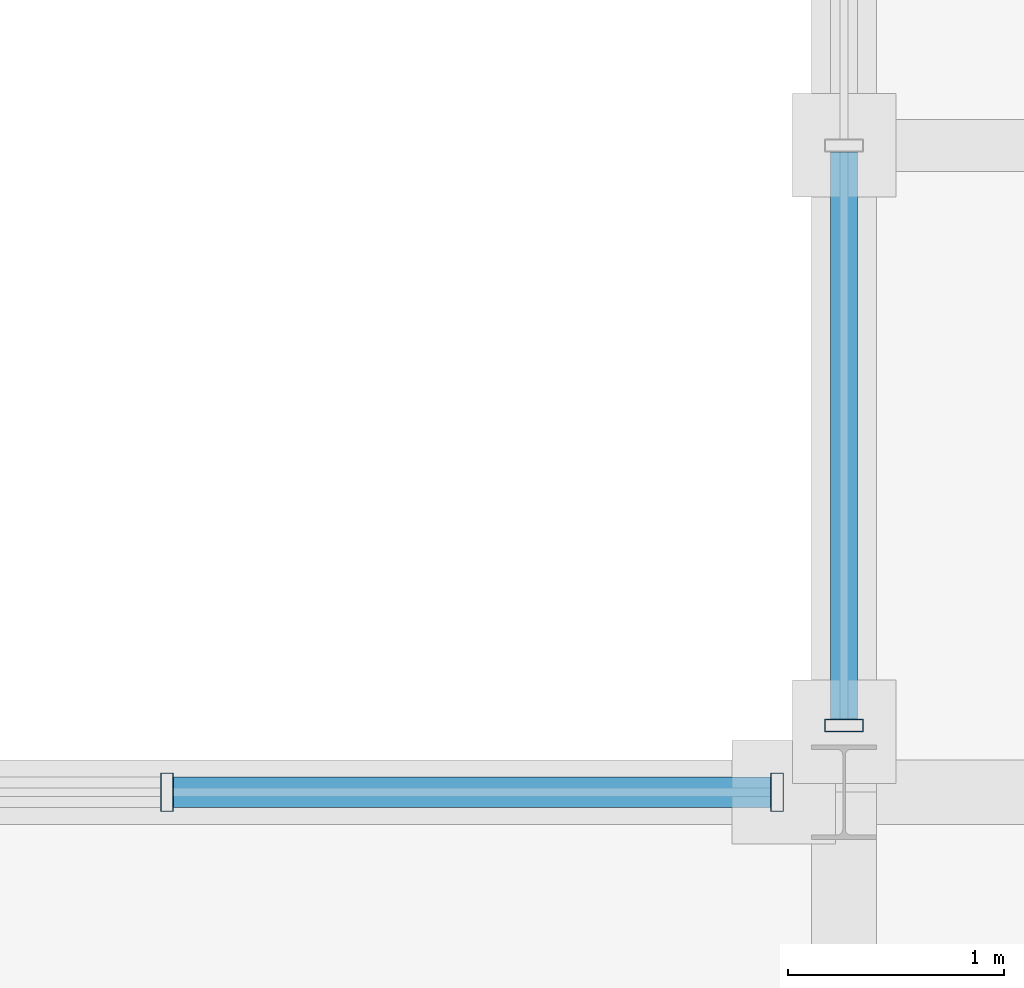
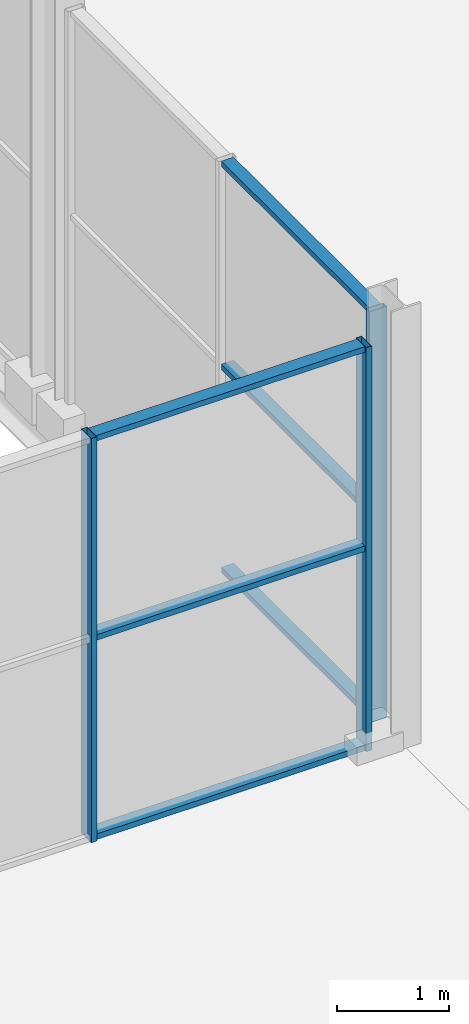
# One storey, part 111 of 159: 9 members, 2 elements without a shape of their own.
"""IFC4 building model written with IfcOpenShell, lengths in metres."""

from ifc_helpers import new_model, si_unit, direction, frame, origin, origin_2d, place, context, subcontext, project, spatial, hollow_rectangle, extrude, material, material_profile, profile_set, type_object, element, aggregate, save


model = new_model("IFC4")

# Units and contexts
model_context = context("Model", 3, precision=1e-05, world=origin(), true_north=direction((0.0, 1.0)))
body_context = subcontext(model_context, "Body", "Model", "MODEL_VIEW")
ifc_project = project(units=[si_unit("LENGTHUNIT", "METRE"), si_unit("AREAUNIT", "SQUARE_METRE"), si_unit("VOLUMEUNIT", "CUBIC_METRE"), si_unit("PLANEANGLEUNIT", "RADIAN"), si_unit("MASSUNIT", "GRAM", prefix="KILO")], contexts=[model_context])

# Site, building, storey
site_placement = place(None, origin())
site = spatial("IfcSite", under=ifc_project, at=site_placement, CompositionType="ELEMENT")
building_placement = place(site_placement, origin())
building = spatial("IfcBuilding", under=site, at=building_placement, Name="Merenkruunu Market Hall", CompositionType="ELEMENT")
storey_placement = place(building_placement, frame((0.0, 0.0, 5.39990234375)))
storey = spatial("IfcBuildingStorey", under=building, at=storey_placement, Name="L01", CompositionType="ELEMENT", Elevation=5.39990234375)

# Curtain wall, members
ifc_material = material(Name="Powder-coated aluminium", Category="aluminium")
curtain_wall_type_1 = type_object("IfcCurtainWallType", Name="Glazed Curtain Wall CW05", PredefinedType="USERDEFINED", material=ifc_material)
curtain_wall_1_placement = place(storey_placement, origin())
curtain_wall_1 = element("IfcCurtainWall", 1, at=curtain_wall_1_placement, inside=storey, type_object=curtain_wall_type_1, Name="CW-L01-CWM02-200", ObjectType="GLAZED_FACADE", PredefinedType="USERDEFINED")
ifc_material_profile_1 = material_profile(ifc_material, hollow_rectangle(XDim=0.06005859375, YDim=0.179931640625, WallThickness=0.00390625, at=origin_2d()), Name="ALU 60x180x4")
ifc_profile_set_1 = profile_set([ifc_material_profile_1], Name="Powder-coated aluminium")
member_type_1 = type_object("IfcMemberType", Name="Curtain Wall Mullion CWM02", PredefinedType="MULLION", material=ifc_profile_set_1)
member_1_placement = place(storey_placement, frame((145.659912109375, 45.60009765625, 0.0), z_axis=(0.0, 0.0, 1.0), x_axis=(1.0, 0.0, 0.0)))
member_1 = element("IfcMember", 2, at=member_1_placement, type_object=member_type_1, Name="CW05 mullion 4", PredefinedType="MULLION", context=body_context, shape_type="SweptSolid", body=[
    extrude(hollow_rectangle(XDim=0.06005859375, YDim=0.179931640625, WallThickness=0.00390625, at=origin_2d()), origin(), (0.0, 0.0, 1.0), 4.400146484375),
])
member_2_placement = place(storey_placement, frame((148.489990234375, 45.60009765625, 0.0), z_axis=(0.0, 0.0, 1.0), x_axis=(1.0, 0.0, 0.0)))
member_2 = element("IfcMember", 3, at=member_2_placement, type_object=member_type_1, Name="CW05 mullion 5", PredefinedType="MULLION", context=body_context, shape_type="SweptSolid", body=[
    extrude(hollow_rectangle(XDim=0.06005859375, YDim=0.179931640625, WallThickness=0.00390625, at=origin_2d()), origin(), (0.0, 0.0, 1.0), 4.400146484375),
])

curtain_wall_type_2 = type_object("IfcCurtainWallType", Name="Glazed Curtain Wall CW14", PredefinedType="USERDEFINED", material=ifc_material)
curtain_wall_2_placement = place(storey_placement, origin())
curtain_wall_2 = element("IfcCurtainWall", 4, at=curtain_wall_2_placement, inside=storey, type_object=curtain_wall_type_2, Name="CW-L01-CWM02-213", ObjectType="GLAZED_FACADE", PredefinedType="USERDEFINED")
member_3_placement = place(storey_placement, frame((148.800048828125, 45.909912109375, 0.0), z_axis=(0.0, 0.0, 1.0), x_axis=(0.0, 1.0, 0.0)))
member_3 = element("IfcMember", 5, at=member_3_placement, type_object=member_type_1, Name="CW14 mullion 1", PredefinedType="MULLION", context=body_context, shape_type="SweptSolid", body=[
    extrude(hollow_rectangle(XDim=0.06005859375, YDim=0.179931640625, WallThickness=0.00390625, at=origin_2d()), origin(), (0.0, 0.0, 1.0), 4.47998046875),
])
ifc_material_profile_2 = material_profile(ifc_material, hollow_rectangle(XDim=0.06005859375, YDim=0.125, WallThickness=0.00390625, at=origin_2d()), Name="ALU 60x125x4")
ifc_profile_set_2 = profile_set([ifc_material_profile_2], Name="Powder-coated aluminium")
member_type_2 = type_object("IfcMemberType", Name="Curtain Wall Transom CWT01", PredefinedType="USERDEFINED", material=ifc_profile_set_2)
member_4_placement = place(storey_placement, frame((148.800048828125, 45.93994140625, 0.030029296875), z_axis=(0.0, 1.0, 0.0), x_axis=(0.0, 0.0, 1.0)))
member_4 = element("IfcMember", 6, at=member_4_placement, type_object=member_type_2, Name="CW14 transom 1.1", ObjectType="TRANSOM", PredefinedType="USERDEFINED", context=body_context, shape_type="SweptSolid", body=[
    extrude(hollow_rectangle(XDim=0.06005859375, YDim=0.125, WallThickness=0.00390625, at=origin_2d()), origin(), (0.0, 0.0, 1.0), 2.630126953125),
])
member_5_placement = place(storey_placement, frame((148.800048828125, 45.93994140625, 2.239990234375), z_axis=(0.0, 1.0, 0.0), x_axis=(0.0, 0.0, 1.0)))
member_5 = element("IfcMember", 7, at=member_5_placement, type_object=member_type_2, Name="CW14 transom 1.2", ObjectType="TRANSOM", PredefinedType="USERDEFINED", context=body_context, shape_type="SweptSolid", body=[
    extrude(hollow_rectangle(XDim=0.06005859375, YDim=0.125, WallThickness=0.00390625, at=origin_2d()), origin(), (0.0, 0.0, 1.0), 2.630126953125),
])
member_6_placement = place(storey_placement, frame((148.800048828125, 45.93994140625, 4.4501953125), z_axis=(0.0, 1.0, 0.0), x_axis=(0.0, 0.0, 1.0)))
member_6 = element("IfcMember", 8, at=member_6_placement, type_object=member_type_2, Name="CW14 transom 1.3", ObjectType="TRANSOM", PredefinedType="USERDEFINED", context=body_context, shape_type="SweptSolid", body=[
    extrude(hollow_rectangle(XDim=0.06005859375, YDim=0.125, WallThickness=0.00390625, at=origin_2d()), origin(), (0.0, 0.0, 1.0), 2.630126953125),
])
aggregate(curtain_wall_2, [member_3, member_4, member_5, member_6])

# Member
ifc_material_profile_3 = material_profile(ifc_material, hollow_rectangle(XDim=0.06005859375, YDim=0.139892578125, WallThickness=0.00390625, at=origin_2d()), Name="ALU 60x140x4")
ifc_profile_set_3 = profile_set([ifc_material_profile_3], Name="Powder-coated aluminium")
member_type_3 = type_object("IfcMemberType", Name="Curtain Wall Transom CWT02", PredefinedType="USERDEFINED", material=ifc_profile_set_3)
member_7_placement = place(storey_placement, frame((145.68994140625, 45.60009765625, 0.030029296875), z_axis=(1.0, 0.0, 0.0), x_axis=(0.0, 0.0, 1.0)))
member_7 = element("IfcMember", 9, at=member_7_placement, type_object=member_type_3, Name="CW05 transom 4.1", ObjectType="TRANSOM", PredefinedType="USERDEFINED", context=body_context, shape_type="SweptSolid", body=[
    extrude(hollow_rectangle(XDim=0.06005859375, YDim=0.139892578125, WallThickness=0.00390625, at=origin_2d()), origin(), (0.0, 0.0, 1.0), 2.77001953125),
])

member_8_placement = place(storey_placement, frame((145.68994140625, 45.60009765625, 2.2001953125), z_axis=(1.0, 0.0, 0.0), x_axis=(0.0, 0.0, 1.0)))
member_8 = element("IfcMember", 10, at=member_8_placement, type_object=member_type_3, Name="CW05 transom 4.2", ObjectType="TRANSOM", PredefinedType="USERDEFINED", context=body_context, shape_type="SweptSolid", body=[
    extrude(hollow_rectangle(XDim=0.06005859375, YDim=0.139892578125, WallThickness=0.00390625, at=origin_2d()), origin(), (0.0, 0.0, 1.0), 2.77001953125),
])

member_9_placement = place(storey_placement, frame((145.68994140625, 45.60009765625, 4.3701171875), z_axis=(1.0, 0.0, 0.0), x_axis=(0.0, 0.0, 1.0)))
member_9 = element("IfcMember", 11, at=member_9_placement, type_object=member_type_3, Name="CW05 transom 4.3", ObjectType="TRANSOM", PredefinedType="USERDEFINED", context=body_context, shape_type="SweptSolid", body=[
    extrude(hollow_rectangle(XDim=0.06005859375, YDim=0.139892578125, WallThickness=0.00390625, at=origin_2d()), origin(), (0.0, 0.0, 1.0), 2.77001953125),
])

aggregate(curtain_wall_1, [member_1, member_2, member_7, member_8, member_9])

save(model, "model.ifc")
